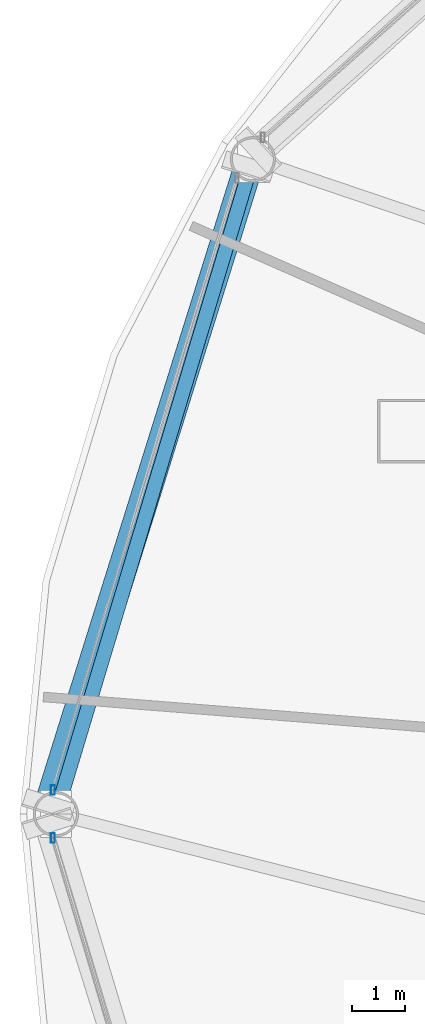
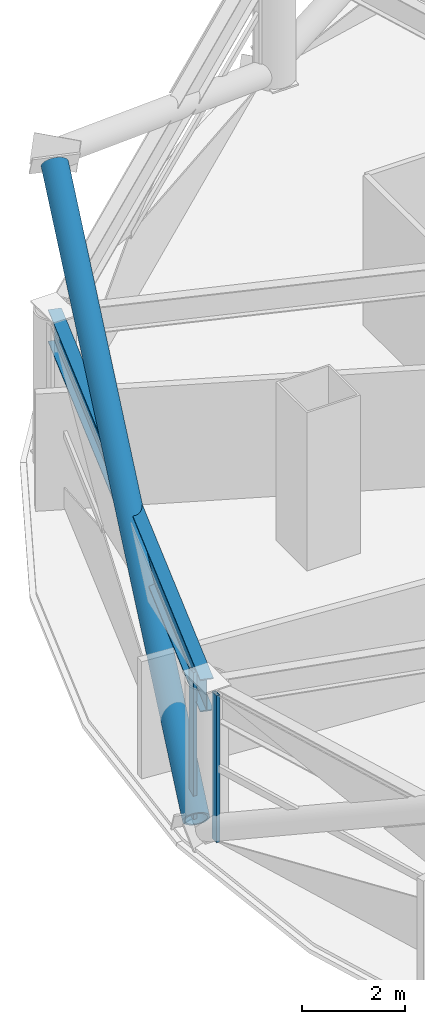
# One storey, part 6 of 33: 3 members, 1 beam, 2 elements without a shape of their own.
"""IFC4 building model written with IfcOpenShell, lengths in metres."""

from ifc_helpers import new_model, si_unit, direction, frame, origin, origin_2d, place, context, subcontext, project, spatial, hollow_rectangle, hollow_circle, i_section, extrude, material, layer, layer_set, material_profile, profile_set, type_object, element, aggregate, save


model = new_model("IFC4")

# Units and contexts
model_context = context("Model", 3, precision=1e-05, world=origin(), true_north=direction((0.0, 1.0)))
body_context = subcontext(model_context, "Body", "Model", "MODEL_VIEW")
ifc_project = project(units=[si_unit("LENGTHUNIT", "METRE"), si_unit("AREAUNIT", "SQUARE_METRE"), si_unit("VOLUMEUNIT", "CUBIC_METRE"), si_unit("PLANEANGLEUNIT", "RADIAN"), si_unit("MASSUNIT", "GRAM", prefix="KILO")], contexts=[model_context])

# Site, building, storey
site_placement = place(None, origin())
site = spatial("IfcSite", under=ifc_project, at=site_placement, CompositionType="ELEMENT")
building_placement = place(site_placement, origin())
building = spatial("IfcBuilding", under=site, at=building_placement, Name="Vantalir Tower", CompositionType="ELEMENT")
storey_placement = place(building_placement, frame((0.0, 0.0, 72.0)))
storey = spatial("IfcBuildingStorey", under=building, at=storey_placement, Name="L17", CompositionType="ELEMENT", Elevation=72.0)

# Beam
ifc_material_1 = material(Name="Steel S460", Category="steel")
ifc_material_profile_1 = material_profile(ifc_material_1, i_section(OverallWidth=0.26806640625, OverallDepth=0.77001953125, WebThickness=0.015625, FlangeThickness=0.025390625, at=origin_2d()), Name="Steel S460")
ifc_profile_set_1 = profile_set([ifc_material_profile_1], Name="Steel S460")
beam_type = type_object("IfcBeamType", Name="BM-RG-762x267", PredefinedType="USERDEFINED", material=ifc_profile_set_1)
beam_placement = place(storey_placement, frame((7.553955078125, 37.31396484375, 3.18505859375), z_axis=(-0.288037579995, -0.957619106175, 0.0), x_axis=(0.957619106175, -0.288037579995, 0.0)))
element("IfcBeam", 1, at=beam_placement, inside=storey, type_object=beam_type, Name="L17 Circumferential Ring Girder 06", ObjectType="GIRDER", PredefinedType="USERDEFINED", context=body_context, shape_type="SweptSolid", body=[
    extrude(i_section(OverallWidth=0.26806640625, OverallDepth=0.77001953125, WebThickness=0.015625, FlangeThickness=0.025390625, at=origin_2d()), origin(), (0.0, 0.0, 1.0), 12.85888671875),
])

# Curtain wall, member
ifc_material_2 = material(Name="Champagne-silver PVDF aluminium and double-silver Low-E glass", Category="aluminium")
ifc_layer = layer(ifc_material_2, 0.18994140625)
ifc_layer_set = layer_set([ifc_layer], Name="Champagne-silver PVDF aluminium and double-silver Low-E glass")
curtain_wall_type = type_object("IfcCurtainWallType", Name="CW-DIAMOND-Z1", PredefinedType="USERDEFINED", material=ifc_layer_set)
curtain_wall_1_placement = place(storey_placement, origin())
curtain_wall_1 = element("IfcCurtainWall", 2, at=curtain_wall_1_placement, inside=storey, type_object=curtain_wall_type, Name="L17 Quilted Pyramid-Diamond Curtain Wall S06", ObjectType="UNITISED CURTAIN WALL", PredefinedType="USERDEFINED")
ifc_material_3 = material(Name="Champagne-silver PVDF aluminium 6063-T6", Category="aluminium")
ifc_material_profile_2 = material_profile(ifc_material_3, hollow_rectangle(XDim=0.074951171875, YDim=0.179931640625, WallThickness=0.00390625, at=origin_2d()), Name="Champagne-silver PVDF aluminium 6063-T6")
ifc_profile_set_2 = profile_set([ifc_material_profile_2], Name="Champagne-silver PVDF aluminium 6063-T6")
member_type_1 = type_object("IfcMemberType", Name="CWM-180x75", PredefinedType="MULLION", material=ifc_profile_set_2)
member_1_placement = place(storey_placement, frame((3.794921875, 25.449951171875, 0.044921875), z_axis=(0.0, 0.0, 1.0), x_axis=(1.0, 0.0, 0.0)))
member_1 = element("IfcMember", 3, at=member_1_placement, type_object=member_type_1, Name="CW-L17-S06 Mullion 2", PredefinedType="MULLION", context=body_context, shape_type="SweptSolid", body=[
    extrude(hollow_rectangle(XDim=0.074951171875, YDim=0.179931640625, WallThickness=0.00390625, at=origin_2d()), origin(), (0.0, 0.0, 1.0), 3.47998046875),
])
aggregate(curtain_wall_1, [member_1])

curtain_wall_2_placement = place(storey_placement, origin())
curtain_wall_2 = element("IfcCurtainWall", 4, at=curtain_wall_2_placement, inside=storey, type_object=curtain_wall_type, Name="L17 Quilted Pyramid-Diamond Curtain Wall S07", ObjectType="UNITISED CURTAIN WALL", PredefinedType="USERDEFINED")
member_2_placement = place(storey_placement, frame((3.794921875, 24.550048828125, 0.044921875), z_axis=(0.0, 0.0, 1.0), x_axis=(1.0, 0.0, 0.0)))
member_2 = element("IfcMember", 5, at=member_2_placement, type_object=member_type_1, Name="CW-L17-S07 Mullion 1", PredefinedType="MULLION", context=body_context, shape_type="SweptSolid", body=[
    extrude(hollow_rectangle(XDim=0.074951171875, YDim=0.179931640625, WallThickness=0.00390625, at=origin_2d()), origin(), (0.0, 0.0, 1.0), 3.47998046875),
])
aggregate(curtain_wall_2, [member_2])

# Member
ifc_material_profile_3 = material_profile(ifc_material_1, hollow_circle(Radius=0.27001953125, WallThickness=0.044921875, at=origin_2d()), Name="Steel S460")
ifc_profile_set_3 = profile_set([ifc_material_profile_3], Name="Steel S460")
member_type_2 = type_object("IfcMemberType", Name="MEM-DB-540x45", PredefinedType="BRACE", material=ifc_profile_set_3)
member_3_placement = place(storey_placement, frame((3.717041015625, 25.18408203125, 0.18701171875), z_axis=(0.261206014595, 0.83496376105, 0.484362401175), x_axis=(-0.954388868851, 0.298566386274, 0.0)))
element("IfcMember", 6, at=member_3_placement, inside=storey, type_object=member_type_2, Name="L17 Perimeter S460 Diagrid Brace R19R", PredefinedType="BRACE", context=body_context, shape_type="SweptSolid", body=[
    extrude(hollow_circle(Radius=0.27001953125, WallThickness=0.044921875, at=origin_2d()), origin(), (0.0, 0.0, 1.0), 14.340576171875),
])

save(model, "model.ifc")
